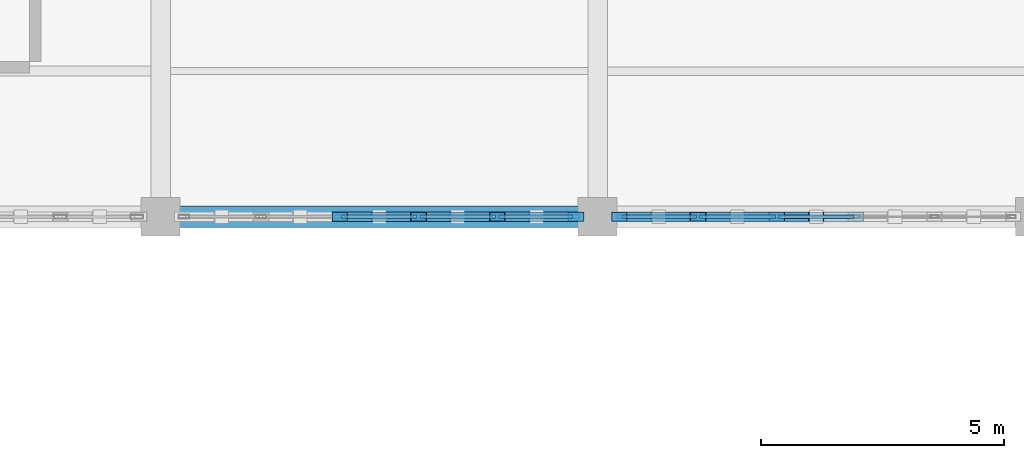
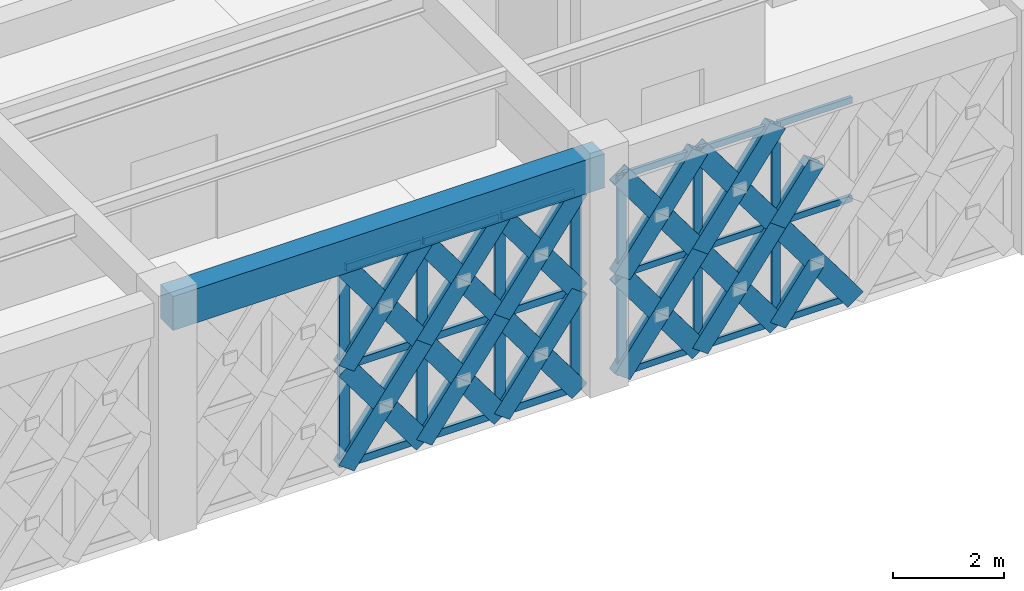
# One storey, part 37 of 86: 58 members, 1 beam, 2 elements without a shape of their own.
"""IFC4 building model written with IfcOpenShell, lengths in metres."""

from ifc_helpers import new_model, si_unit, direction, frame, origin, origin_2d, place, context, subcontext, project, spatial, rectangle, hollow_rectangle, extrude, material, material_profile, profile_set, type_object, element, aggregate, save


model = new_model("IFC4")

# Units and contexts
model_context = context("Model", 3, precision=1e-05, world=origin(), true_north=direction((0.0, 1.0)))
body_context = subcontext(model_context, "Body", "Model", "MODEL_VIEW")
ifc_project = project(units=[si_unit("LENGTHUNIT", "METRE"), si_unit("AREAUNIT", "SQUARE_METRE"), si_unit("VOLUMEUNIT", "CUBIC_METRE"), si_unit("PLANEANGLEUNIT", "RADIAN"), si_unit("MASSUNIT", "GRAM", prefix="KILO")], contexts=[model_context])

# Site, building, storey
site_placement = place(None, origin())
site = spatial("IfcSite", under=ifc_project, at=site_placement, CompositionType="ELEMENT")
building_placement = place(site_placement, origin())
building = spatial("IfcBuilding", under=site, at=building_placement, Name="Haizhuo Lancet Aquarium", CompositionType="ELEMENT")
storey_placement = place(building_placement, frame((0.0, 0.0, 16.199951171875)))
storey = spatial("IfcBuildingStorey", under=building, at=storey_placement, Name="L03", CompositionType="ELEMENT", Elevation=16.199951171875)

# Beam
ifc_material_1 = material(Name="Concrete C40/50", Category="concrete")
ifc_material_profile_1 = material_profile(ifc_material_1, rectangle(XDim=0.449951171875, YDim=0.75, at=origin_2d()), Name="RC-BM 450x750")
ifc_profile_set_1 = profile_set([ifc_material_profile_1], Name="Concrete C40/50")
beam_type = type_object("IfcBeamType", Name="BM-RC-450x750", PredefinedType="BEAM", material=ifc_profile_set_1)
beam_placement = place(storey_placement, frame((0.0, 36.0, 4.775146484375), z_axis=(1.0, 0.0, 0.0), x_axis=(0.0, 1.0, 0.0)))
element("IfcBeam", 1, at=beam_placement, inside=storey, type_object=beam_type, Name="L03 V5 primary girder BM-L03-V5-013", PredefinedType="BEAM", context=body_context, shape_type="SweptSolid", body=[
    extrude(rectangle(XDim=0.449951171875, YDim=0.75, at=origin_2d()), origin(), (0.0, 0.0, 1.0), 9.0),
])

# Curtain wall, members
ifc_material_2 = material(Name="Aluminium 6063-T6", Category="aluminium")
curtain_wall_type = type_object("IfcCurtainWallType", Name="CWD-8110x4400", PredefinedType="NOTDEFINED", material=ifc_material_2)
curtain_wall_1_placement = place(storey_placement, origin())
curtain_wall_1 = element("IfcCurtainWall", 2, at=curtain_wall_1_placement, inside=storey, type_object=curtain_wall_type, Name="L03 curtain wall CW-V5-L03-169", PredefinedType="NOTDEFINED")
ifc_material_profile_2 = material_profile(ifc_material_2, hollow_rectangle(XDim=0.06494140625, YDim=0.179931640625, WallThickness=0.00390625, at=origin_2d()), Name="ALU-M 65x180x4")
ifc_profile_set_2 = profile_set([ifc_material_profile_2], Name="Aluminium 6063-T6")
member_type_1 = type_object("IfcMemberType", Name="CW-MUL-1", PredefinedType="MULLION", material=ifc_profile_set_2)
member_1_placement = place(storey_placement, frame((12.68896484375, 36.0, 0.0), z_axis=(0.0, 0.0, 1.0), x_axis=(0.0, -1.0, 0.0)))
member_1 = element("IfcMember", 3, at=member_1_placement, type_object=member_type_1, Name="CWD-81x44 mullion 4", PredefinedType="MULLION", context=body_context, shape_type="SweptSolid", body=[
    extrude(hollow_rectangle(XDim=0.06494140625, YDim=0.179931640625, WallThickness=0.00390625, at=origin_2d()), origin(), (0.0, 0.0, 1.0), 4.400146484375),
])
member_2_placement = place(storey_placement, frame((11.06689453125, 36.0, 0.0), z_axis=(0.0, 0.0, 1.0), x_axis=(0.0, -1.0, 0.0)))
member_2 = element("IfcMember", 4, at=member_2_placement, type_object=member_type_1, Name="CWD-81x44 mullion 5", PredefinedType="MULLION", context=body_context, shape_type="SweptSolid", body=[
    extrude(hollow_rectangle(XDim=0.06494140625, YDim=0.179931640625, WallThickness=0.00390625, at=origin_2d()), origin(), (0.0, 0.0, 1.0), 4.400146484375),
])
member_3_placement = place(storey_placement, frame((9.47802734375, 36.0, 0.0), z_axis=(0.0, 0.0, 1.0), x_axis=(0.0, -1.0, 0.0)))
member_3 = element("IfcMember", 5, at=member_3_placement, type_object=member_type_1, Name="CWD-81x44 mullion 6", PredefinedType="MULLION", context=body_context, shape_type="SweptSolid", body=[
    extrude(hollow_rectangle(XDim=0.06494140625, YDim=0.179931640625, WallThickness=0.00390625, at=origin_2d()), origin(), (0.0, 0.0, 1.0), 4.400146484375),
])

curtain_wall_2_placement = place(storey_placement, origin())
curtain_wall_2 = element("IfcCurtainWall", 6, at=curtain_wall_2_placement, inside=storey, type_object=curtain_wall_type, Name="L03 curtain wall CW-V5-L03-170", PredefinedType="NOTDEFINED")
ifc_material_profile_3 = material_profile(ifc_material_2, hollow_rectangle(XDim=0.074951171875, YDim=0.219970703125, WallThickness=0.0048828125, at=origin_2d()), Name="ALU-M 75x220x5")
ifc_profile_set_3 = profile_set([ifc_material_profile_3], Name="Aluminium 6063-T6")
member_type_2 = type_object("IfcMemberType", Name="CW-MUL-2", PredefinedType="MULLION", material=ifc_profile_set_3)
member_4_placement = place(storey_placement, frame((8.51806640625, 36.0, 0.0), z_axis=(0.0, 0.0, 1.0), x_axis=(0.0, -1.0, 0.0)))
member_4 = element("IfcMember", 7, at=member_4_placement, type_object=member_type_2, Name="CWD-81x44 mullion 1", PredefinedType="MULLION", context=body_context, shape_type="SweptSolid", body=[
    extrude(hollow_rectangle(XDim=0.074951171875, YDim=0.219970703125, WallThickness=0.0048828125, at=origin_2d()), origin(), (0.0, 0.0, 1.0), 4.400146484375),
])
member_5_placement = place(storey_placement, frame((6.93310546875, 36.0, 0.0), z_axis=(0.0, 0.0, 1.0), x_axis=(0.0, -1.0, 0.0)))
member_5 = element("IfcMember", 8, at=member_5_placement, type_object=member_type_2, Name="CWD-81x44 mullion 2", PredefinedType="MULLION", context=body_context, shape_type="SweptSolid", body=[
    extrude(hollow_rectangle(XDim=0.074951171875, YDim=0.219970703125, WallThickness=0.0048828125, at=origin_2d()), origin(), (0.0, 0.0, 1.0), 4.400146484375),
])
member_6_placement = place(storey_placement, frame((5.31103515625, 36.0, 0.0), z_axis=(0.0, 0.0, 1.0), x_axis=(0.0, -1.0, 0.0)))
member_6 = element("IfcMember", 9, at=member_6_placement, type_object=member_type_2, Name="CWD-81x44 mullion 3", PredefinedType="MULLION", context=body_context, shape_type="SweptSolid", body=[
    extrude(hollow_rectangle(XDim=0.074951171875, YDim=0.219970703125, WallThickness=0.0048828125, at=origin_2d()), origin(), (0.0, 0.0, 1.0), 4.400146484375),
])
member_7_placement = place(storey_placement, frame((3.68896484375, 36.0, 0.0), z_axis=(0.0, 0.0, 1.0), x_axis=(0.0, -1.0, 0.0)))
member_7 = element("IfcMember", 10, at=member_7_placement, type_object=member_type_2, Name="CWD-81x44 mullion 4", PredefinedType="MULLION", context=body_context, shape_type="SweptSolid", body=[
    extrude(hollow_rectangle(XDim=0.074951171875, YDim=0.219970703125, WallThickness=0.0048828125, at=origin_2d()), origin(), (0.0, 0.0, 1.0), 4.400146484375),
])

# Member
ifc_material_profile_4 = material_profile(ifc_material_2, hollow_rectangle(XDim=0.06494140625, YDim=0.139892578125, WallThickness=0.00390625, at=origin_2d()), Name="ALU-T 65x140x4")
ifc_profile_set_4 = profile_set([ifc_material_profile_4], Name="Aluminium 6063-T6")
member_type_3 = type_object("IfcMemberType", Name="CW-TRN-1", PredefinedType="NOTDEFINED", material=ifc_profile_set_4)
member_8_placement = place(storey_placement, frame((14.278076171875, 36.0, 0.031982421875), z_axis=(-1.0, 0.0, 0.0), x_axis=(0.0, -1.0, 0.0)))
member_8 = element("IfcMember", 11, at=member_8_placement, type_object=member_type_3, Name="CWD-81x44 transom 3.1", ObjectType="TRANSOM", PredefinedType="USERDEFINED", context=body_context, shape_type="SweptSolid", body=[
    extrude(hollow_rectangle(XDim=0.06494140625, YDim=0.139892578125, WallThickness=0.00390625, at=origin_2d()), origin(), (0.0, 0.0, 1.0), 1.55712890625),
])

member_9_placement = place(storey_placement, frame((14.278076171875, 36.0, 2.199951171875), z_axis=(-1.0, 0.0, 0.0), x_axis=(0.0, -1.0, 0.0)))
member_9 = element("IfcMember", 12, at=member_9_placement, type_object=member_type_3, Name="CWD-81x44 transom 3.2", ObjectType="TRANSOM", PredefinedType="USERDEFINED", context=body_context, shape_type="SweptSolid", body=[
    extrude(hollow_rectangle(XDim=0.06494140625, YDim=0.139892578125, WallThickness=0.00390625, at=origin_2d()), origin(), (0.0, 0.0, 1.0), 1.55712890625),
])

member_10_placement = place(storey_placement, frame((14.278076171875, 36.0, 4.3681640625), z_axis=(-1.0, 0.0, 0.0), x_axis=(0.0, -1.0, 0.0)))
member_10 = element("IfcMember", 13, at=member_10_placement, type_object=member_type_3, Name="CWD-81x44 transom 3.3", ObjectType="TRANSOM", PredefinedType="USERDEFINED", context=body_context, shape_type="SweptSolid", body=[
    extrude(hollow_rectangle(XDim=0.06494140625, YDim=0.139892578125, WallThickness=0.00390625, at=origin_2d()), origin(), (0.0, 0.0, 1.0), 1.55712890625),
])

member_11_placement = place(storey_placement, frame((12.656982421875, 36.0, 0.031982421875), z_axis=(-1.0, 0.0, 0.0), x_axis=(0.0, -1.0, 0.0)))
member_11 = element("IfcMember", 14, at=member_11_placement, type_object=member_type_3, Name="CWD-81x44 transom 4.1", ObjectType="TRANSOM", PredefinedType="USERDEFINED", context=body_context, shape_type="SweptSolid", body=[
    extrude(hollow_rectangle(XDim=0.06494140625, YDim=0.139892578125, WallThickness=0.00390625, at=origin_2d()), origin(), (0.0, 0.0, 1.0), 1.557861328125),
])

member_12_placement = place(storey_placement, frame((12.656982421875, 36.0, 2.199951171875), z_axis=(-1.0, 0.0, 0.0), x_axis=(0.0, -1.0, 0.0)))
member_12 = element("IfcMember", 15, at=member_12_placement, type_object=member_type_3, Name="CWD-81x44 transom 4.2", ObjectType="TRANSOM", PredefinedType="USERDEFINED", context=body_context, shape_type="SweptSolid", body=[
    extrude(hollow_rectangle(XDim=0.06494140625, YDim=0.139892578125, WallThickness=0.00390625, at=origin_2d()), origin(), (0.0, 0.0, 1.0), 1.557861328125),
])

member_13_placement = place(storey_placement, frame((12.656982421875, 36.0, 4.3681640625), z_axis=(-1.0, 0.0, 0.0), x_axis=(0.0, -1.0, 0.0)))
member_13 = element("IfcMember", 16, at=member_13_placement, type_object=member_type_3, Name="CWD-81x44 transom 4.3", ObjectType="TRANSOM", PredefinedType="USERDEFINED", context=body_context, shape_type="SweptSolid", body=[
    extrude(hollow_rectangle(XDim=0.06494140625, YDim=0.139892578125, WallThickness=0.00390625, at=origin_2d()), origin(), (0.0, 0.0, 1.0), 1.557861328125),
])

member_14_placement = place(storey_placement, frame((11.034912109375, 36.0, 0.031982421875), z_axis=(-1.0, 0.0, 0.0), x_axis=(0.0, -1.0, 0.0)))
member_14 = element("IfcMember", 17, at=member_14_placement, type_object=member_type_3, Name="CWD-81x44 transom 5.1", ObjectType="TRANSOM", PredefinedType="USERDEFINED", context=body_context, shape_type="SweptSolid", body=[
    extrude(hollow_rectangle(XDim=0.06494140625, YDim=0.139892578125, WallThickness=0.00390625, at=origin_2d()), origin(), (0.0, 0.0, 1.0), 1.52490234375),
])

member_15_placement = place(storey_placement, frame((11.034912109375, 36.0, 2.199951171875), z_axis=(-1.0, 0.0, 0.0), x_axis=(0.0, -1.0, 0.0)))
member_15 = element("IfcMember", 18, at=member_15_placement, type_object=member_type_3, Name="CWD-81x44 transom 5.2", ObjectType="TRANSOM", PredefinedType="USERDEFINED", context=body_context, shape_type="SweptSolid", body=[
    extrude(hollow_rectangle(XDim=0.06494140625, YDim=0.139892578125, WallThickness=0.00390625, at=origin_2d()), origin(), (0.0, 0.0, 1.0), 1.52490234375),
])

member_16_placement = place(storey_placement, frame((11.034912109375, 36.0, 4.3681640625), z_axis=(-1.0, 0.0, 0.0), x_axis=(0.0, -1.0, 0.0)))
member_16 = element("IfcMember", 19, at=member_16_placement, type_object=member_type_3, Name="CWD-81x44 transom 5.3", ObjectType="TRANSOM", PredefinedType="USERDEFINED", context=body_context, shape_type="SweptSolid", body=[
    extrude(hollow_rectangle(XDim=0.06494140625, YDim=0.139892578125, WallThickness=0.00390625, at=origin_2d()), origin(), (0.0, 0.0, 1.0), 1.52490234375),
])

aggregate(curtain_wall_1, [member_1, member_2, member_3, member_8, member_9, member_10, member_11, member_12, member_13, member_14, member_15, member_16])

ifc_material_profile_5 = material_profile(ifc_material_2, hollow_rectangle(XDim=0.074951171875, YDim=0.159912109375, WallThickness=0.00390625, at=origin_2d()), Name="ALU-T 75x160x4")
ifc_profile_set_5 = profile_set([ifc_material_profile_5], Name="Aluminium 6063-T6")
member_type_4 = type_object("IfcMemberType", Name="CW-TRN-2", PredefinedType="NOTDEFINED", material=ifc_profile_set_5)
member_17_placement = place(storey_placement, frame((8.47998046875, 36.0, 0.0380859375), z_axis=(-1.0, 0.0, 0.0), x_axis=(0.0, -1.0, 0.0)))
member_17 = element("IfcMember", 20, at=member_17_placement, type_object=member_type_4, Name="CWD-81x44 transom 1.1", ObjectType="TRANSOM", PredefinedType="USERDEFINED", context=body_context, shape_type="SweptSolid", body=[
    extrude(hollow_rectangle(XDim=0.074951171875, YDim=0.159912109375, WallThickness=0.00390625, at=origin_2d()), origin(), (0.0, 0.0, 1.0), 1.510009765625),
])

member_18_placement = place(storey_placement, frame((8.47998046875, 36.0, 2.199951171875), z_axis=(-1.0, 0.0, 0.0), x_axis=(0.0, -1.0, 0.0)))
member_18 = element("IfcMember", 21, at=member_18_placement, type_object=member_type_4, Name="CWD-81x44 transom 1.2", ObjectType="TRANSOM", PredefinedType="USERDEFINED", context=body_context, shape_type="SweptSolid", body=[
    extrude(hollow_rectangle(XDim=0.074951171875, YDim=0.159912109375, WallThickness=0.00390625, at=origin_2d()), origin(), (0.0, 0.0, 1.0), 1.510009765625),
])

member_19_placement = place(storey_placement, frame((8.47998046875, 36.0, 4.362060546875), z_axis=(-1.0, 0.0, 0.0), x_axis=(0.0, -1.0, 0.0)))
member_19 = element("IfcMember", 22, at=member_19_placement, type_object=member_type_4, Name="CWD-81x44 transom 1.3", ObjectType="TRANSOM", PredefinedType="USERDEFINED", context=body_context, shape_type="SweptSolid", body=[
    extrude(hollow_rectangle(XDim=0.074951171875, YDim=0.159912109375, WallThickness=0.00390625, at=origin_2d()), origin(), (0.0, 0.0, 1.0), 1.510009765625),
])

member_20_placement = place(storey_placement, frame((6.89599609375, 36.0, 0.0380859375), z_axis=(-1.0, 0.0, 0.0), x_axis=(0.0, -1.0, 0.0)))
member_20 = element("IfcMember", 23, at=member_20_placement, type_object=member_type_4, Name="CWD-81x44 transom 2.1", ObjectType="TRANSOM", PredefinedType="USERDEFINED", context=body_context, shape_type="SweptSolid", body=[
    extrude(hollow_rectangle(XDim=0.074951171875, YDim=0.159912109375, WallThickness=0.00390625, at=origin_2d()), origin(), (0.0, 0.0, 1.0), 1.548095703125),
])

member_21_placement = place(storey_placement, frame((6.89599609375, 36.0, 2.199951171875), z_axis=(-1.0, 0.0, 0.0), x_axis=(0.0, -1.0, 0.0)))
member_21 = element("IfcMember", 24, at=member_21_placement, type_object=member_type_4, Name="CWD-81x44 transom 2.2", ObjectType="TRANSOM", PredefinedType="USERDEFINED", context=body_context, shape_type="SweptSolid", body=[
    extrude(hollow_rectangle(XDim=0.074951171875, YDim=0.159912109375, WallThickness=0.00390625, at=origin_2d()), origin(), (0.0, 0.0, 1.0), 1.548095703125),
])

member_22_placement = place(storey_placement, frame((6.89599609375, 36.0, 4.362060546875), z_axis=(-1.0, 0.0, 0.0), x_axis=(0.0, -1.0, 0.0)))
member_22 = element("IfcMember", 25, at=member_22_placement, type_object=member_type_4, Name="CWD-81x44 transom 2.3", ObjectType="TRANSOM", PredefinedType="USERDEFINED", context=body_context, shape_type="SweptSolid", body=[
    extrude(hollow_rectangle(XDim=0.074951171875, YDim=0.159912109375, WallThickness=0.00390625, at=origin_2d()), origin(), (0.0, 0.0, 1.0), 1.548095703125),
])

member_23_placement = place(storey_placement, frame((5.27392578125, 36.0, 0.0380859375), z_axis=(-1.0, 0.0, 0.0), x_axis=(0.0, -1.0, 0.0)))
member_23 = element("IfcMember", 26, at=member_23_placement, type_object=member_type_4, Name="CWD-81x44 transom 3.1", ObjectType="TRANSOM", PredefinedType="USERDEFINED", context=body_context, shape_type="SweptSolid", body=[
    extrude(hollow_rectangle(XDim=0.074951171875, YDim=0.159912109375, WallThickness=0.00390625, at=origin_2d()), origin(), (0.0, 0.0, 1.0), 1.5478515625),
])

member_24_placement = place(storey_placement, frame((5.27392578125, 36.0, 2.199951171875), z_axis=(-1.0, 0.0, 0.0), x_axis=(0.0, -1.0, 0.0)))
member_24 = element("IfcMember", 27, at=member_24_placement, type_object=member_type_4, Name="CWD-81x44 transom 3.2", ObjectType="TRANSOM", PredefinedType="USERDEFINED", context=body_context, shape_type="SweptSolid", body=[
    extrude(hollow_rectangle(XDim=0.074951171875, YDim=0.159912109375, WallThickness=0.00390625, at=origin_2d()), origin(), (0.0, 0.0, 1.0), 1.5478515625),
])

member_25_placement = place(storey_placement, frame((5.27392578125, 36.0, 4.362060546875), z_axis=(-1.0, 0.0, 0.0), x_axis=(0.0, -1.0, 0.0)))
member_25 = element("IfcMember", 28, at=member_25_placement, type_object=member_type_4, Name="CWD-81x44 transom 3.3", ObjectType="TRANSOM", PredefinedType="USERDEFINED", context=body_context, shape_type="SweptSolid", body=[
    extrude(hollow_rectangle(XDim=0.074951171875, YDim=0.159912109375, WallThickness=0.00390625, at=origin_2d()), origin(), (0.0, 0.0, 1.0), 1.5478515625),
])

aggregate(curtain_wall_2, [member_4, member_5, member_6, member_7, member_17, member_18, member_19, member_20, member_21, member_22, member_23, member_24, member_25])

# Members
ifc_material_3 = material(Name="Steel S355", Category="steel")
ifc_material_profile_6 = material_profile(ifc_material_3, hollow_rectangle(XDim=0.199951171875, YDim=0.39990234375, WallThickness=0.011962890625, at=origin_2d()), Name="RHS 200x400x12")
ifc_profile_set_6 = profile_set([ifc_material_profile_6], Name="Steel S355")
member_type_5 = type_object("IfcMemberType", Name="MEM-LB-RHS200x400", PredefinedType="BRACE", material=ifc_profile_set_6)
member_26_placement = place(storey_placement, frame((14.31103515625, 36.0, 0.0), z_axis=(-0.59344885176, 0.0, 0.804871704276), x_axis=(0.0, -1.0, 0.0)))
element("IfcMember", 29, at=member_26_placement, inside=storey, type_object=member_type_5, Name="Gothic lancet continuous diagonal brace CW-V5-L03-169 5A", PredefinedType="BRACE", context=body_context, shape_type="SweptSolid", body=[
    extrude(hollow_rectangle(XDim=0.199951171875, YDim=0.39990234375, WallThickness=0.011962890625, at=origin_2d()), origin(), (0.0, 0.0, 1.0), 2.7333984375),
])
for number, where, z_axis, x_axis, name in (
    (30, (12.68896484375, 36.0, 0.0), (0.593406189792, 0.0, 0.804903158098), (0.0, 1.0, 0.0), "Gothic lancet split diagonal brace CW-V5-L03-169 5B1"),
    (31, (12.68896484375, 36.0, 2.199951171875), (0.593406189792, 0.0, 0.804903158098), (0.0, 1.0, 0.0), "Gothic lancet split diagonal brace CW-V5-L03-169 6B1"),
):
    element("IfcMember", number, at=place(storey_placement, frame(where, z_axis=z_axis, x_axis=x_axis)), inside=storey, type_object=member_type_5, Name=name, PredefinedType="BRACE", context=body_context, shape_type="SweptSolid", body=[
        extrude(hollow_rectangle(XDim=0.199951171875, YDim=0.39990234375, WallThickness=0.011962890625, at=origin_2d()), origin(), (0.0, 0.0, 1.0), 1.36669921875),
    ])
member_27_placement = place(storey_placement, frame((12.68896484375, 36.0, 0.0), z_axis=(-0.59344885176, 0.0, 0.804871704276), x_axis=(0.0, -1.0, 0.0)))
element("IfcMember", 32, at=member_27_placement, inside=storey, type_object=member_type_5, Name="Gothic lancet continuous diagonal brace CW-V5-L03-169 7A", PredefinedType="BRACE", context=body_context, shape_type="SweptSolid", body=[
    extrude(hollow_rectangle(XDim=0.199951171875, YDim=0.39990234375, WallThickness=0.011962890625, at=origin_2d()), origin(), (0.0, 0.0, 1.0), 2.7333984375),
])
member_28_placement = place(storey_placement, frame((11.06689453125, 36.0, 0.0), z_axis=(0.593406189792, 0.0, 0.804903158098), x_axis=(0.0, 1.0, 0.0)))
element("IfcMember", 33, at=member_28_placement, inside=storey, type_object=member_type_5, Name="Gothic lancet split diagonal brace CW-V5-L03-169 7B1", PredefinedType="BRACE", context=body_context, shape_type="SweptSolid", body=[
    extrude(hollow_rectangle(XDim=0.199951171875, YDim=0.39990234375, WallThickness=0.011962890625, at=origin_2d()), origin(), (0.0, 0.0, 1.0), 1.36669921875),
])
member_29_placement = place(storey_placement, frame((11.8779296875, 36.0, 1.10009765625), z_axis=(0.593491518195, 0.0, 0.80484024367), x_axis=(0.0, 1.0, 0.0)))
element("IfcMember", 34, at=member_29_placement, inside=storey, type_object=member_type_5, Name="Gothic lancet split diagonal brace CW-V5-L03-169 7B2", PredefinedType="BRACE", context=body_context, shape_type="SweptSolid", body=[
    extrude(hollow_rectangle(XDim=0.199951171875, YDim=0.39990234375, WallThickness=0.011962890625, at=origin_2d()), origin(), (0.0, 0.0, 1.0), 1.366455078125),
])
member_30_placement = place(storey_placement, frame((12.68896484375, 36.0, 2.199951171875), z_axis=(-0.593406189792, 0.0, 0.804903158098), x_axis=(0.0, -1.0, 0.0)))
element("IfcMember", 35, at=member_30_placement, inside=storey, type_object=member_type_5, Name="Gothic lancet continuous diagonal brace CW-V5-L03-169 8A", PredefinedType="BRACE", context=body_context, shape_type="SweptSolid", body=[
    extrude(hollow_rectangle(XDim=0.199951171875, YDim=0.39990234375, WallThickness=0.011962890625, at=origin_2d()), origin(), (0.0, 0.0, 1.0), 2.7333984375),
])
for number, where, z_axis, x_axis, name in (
    (36, (11.06689453125, 36.0, 2.199951171875), (0.593406189792, 0.0, 0.804903158098), (0.0, 1.0, 0.0), "Gothic lancet split diagonal brace CW-V5-L03-169 8B1"),
    (37, (11.8779296875, 36.0, 3.300048828125), (0.593406189792, 0.0, 0.804903158098), (0.0, 1.0, 0.0), "Gothic lancet split diagonal brace CW-V5-L03-169 8B2"),
):
    element("IfcMember", number, at=place(storey_placement, frame(where, z_axis=z_axis, x_axis=x_axis)), inside=storey, type_object=member_type_5, Name=name, PredefinedType="BRACE", context=body_context, shape_type="SweptSolid", body=[
        extrude(hollow_rectangle(XDim=0.199951171875, YDim=0.39990234375, WallThickness=0.011962890625, at=origin_2d()), origin(), (0.0, 0.0, 1.0), 1.36669921875),
    ])
member_31_placement = place(storey_placement, frame((11.06689453125, 36.0, 0.0), z_axis=(-0.593390983354, 0.0, 0.804914368659), x_axis=(0.0, -1.0, 0.0)))
element("IfcMember", 38, at=member_31_placement, inside=storey, type_object=member_type_5, Name="Gothic lancet continuous diagonal brace CW-V5-L03-169 9A", PredefinedType="BRACE", context=body_context, shape_type="SweptSolid", body=[
    extrude(hollow_rectangle(XDim=0.199951171875, YDim=0.39990234375, WallThickness=0.011962890625, at=origin_2d()), origin(), (0.0, 0.0, 1.0), 2.733154296875),
])
member_32_placement = place(storey_placement, frame((9.445068359375, 36.0, 0.0), z_axis=(0.593406189792, 0.0, 0.804903158098), x_axis=(0.0, 1.0, 0.0)))
element("IfcMember", 39, at=member_32_placement, inside=storey, type_object=member_type_5, Name="Gothic lancet split diagonal brace CW-V5-L03-169 9B1", PredefinedType="BRACE", context=body_context, shape_type="SweptSolid", body=[
    extrude(hollow_rectangle(XDim=0.199951171875, YDim=0.39990234375, WallThickness=0.011962890625, at=origin_2d()), origin(), (0.0, 0.0, 1.0), 1.36669921875),
])
member_33_placement = place(storey_placement, frame((10.256103515625, 36.0, 1.10009765625), z_axis=(0.593375772905, 0.0, 0.804925581734), x_axis=(0.0, 1.0, 0.0)))
element("IfcMember", 40, at=member_33_placement, inside=storey, type_object=member_type_5, Name="Gothic lancet split diagonal brace CW-V5-L03-169 9B2", PredefinedType="BRACE", context=body_context, shape_type="SweptSolid", body=[
    extrude(hollow_rectangle(XDim=0.199951171875, YDim=0.39990234375, WallThickness=0.011962890625, at=origin_2d()), origin(), (0.0, 0.0, 1.0), 1.366455078125),
])
member_34_placement = place(storey_placement, frame((11.06689453125, 36.0, 2.199951171875), z_axis=(-0.593348321024, 0.0, 0.804945818014), x_axis=(0.0, -1.0, 0.0)))
element("IfcMember", 41, at=member_34_placement, inside=storey, type_object=member_type_5, Name="Gothic lancet continuous diagonal brace CW-V5-L03-169 10A", PredefinedType="BRACE", context=body_context, shape_type="SweptSolid", body=[
    extrude(hollow_rectangle(XDim=0.199951171875, YDim=0.39990234375, WallThickness=0.011962890625, at=origin_2d()), origin(), (0.0, 0.0, 1.0), 2.7333984375),
])
for number, where, z_axis, x_axis, name in (
    (42, (9.445068359375, 36.0, 2.199951171875), (0.593406189792, 0.0, 0.804903158098), (0.0, 1.0, 0.0), "Gothic lancet split diagonal brace CW-V5-L03-169 10B1"),
    (43, (10.256103515625, 36.0, 3.300048828125), (0.593290443054, 0.0, 0.80498847829), (0.0, 1.0, 0.0), "Gothic lancet split diagonal brace CW-V5-L03-169 10B2"),
):
    element("IfcMember", number, at=place(storey_placement, frame(where, z_axis=z_axis, x_axis=x_axis)), inside=storey, type_object=member_type_5, Name=name, PredefinedType="BRACE", context=body_context, shape_type="SweptSolid", body=[
        extrude(hollow_rectangle(XDim=0.199951171875, YDim=0.39990234375, WallThickness=0.011962890625, at=origin_2d()), origin(), (0.0, 0.0, 1.0), 1.36669921875),
    ])
member_35_placement = place(storey_placement, frame((8.554931640625, 36.0, 0.0), z_axis=(-0.593390983354, 0.0, 0.804914368659), x_axis=(0.0, -1.0, 0.0)))
element("IfcMember", 44, at=member_35_placement, inside=storey, type_object=member_type_5, Name="Gothic lancet continuous diagonal brace CW-V5-L03-170 1A", PredefinedType="BRACE", context=body_context, shape_type="SweptSolid", body=[
    extrude(hollow_rectangle(XDim=0.199951171875, YDim=0.39990234375, WallThickness=0.011962890625, at=origin_2d()), origin(), (0.0, 0.0, 1.0), 2.733154296875),
])
member_36_placement = place(storey_placement, frame((6.93310546875, 36.0, 0.0), z_axis=(0.593290443054, 0.0, 0.80498847829), x_axis=(0.0, 1.0, 0.0)))
element("IfcMember", 45, at=member_36_placement, inside=storey, type_object=member_type_5, Name="Gothic lancet split diagonal brace CW-V5-L03-170 1B1", PredefinedType="BRACE", context=body_context, shape_type="SweptSolid", body=[
    extrude(hollow_rectangle(XDim=0.199951171875, YDim=0.39990234375, WallThickness=0.011962890625, at=origin_2d()), origin(), (0.0, 0.0, 1.0), 1.36669921875),
])
member_37_placement = place(storey_placement, frame((7.743896484375, 36.0, 1.10009765625), z_axis=(0.593491518195, 0.0, 0.80484024367), x_axis=(0.0, 1.0, 0.0)))
element("IfcMember", 46, at=member_37_placement, inside=storey, type_object=member_type_5, Name="Gothic lancet split diagonal brace CW-V5-L03-170 1B2", PredefinedType="BRACE", context=body_context, shape_type="SweptSolid", body=[
    extrude(hollow_rectangle(XDim=0.199951171875, YDim=0.39990234375, WallThickness=0.011962890625, at=origin_2d()), origin(), (0.0, 0.0, 1.0), 1.366455078125),
])
member_38_placement = place(storey_placement, frame((8.554931640625, 36.0, 2.199951171875), z_axis=(-0.593348321024, 0.0, 0.804945818014), x_axis=(0.0, -1.0, 0.0)))
element("IfcMember", 47, at=member_38_placement, inside=storey, type_object=member_type_5, Name="Gothic lancet continuous diagonal brace CW-V5-L03-170 2A", PredefinedType="BRACE", context=body_context, shape_type="SweptSolid", body=[
    extrude(hollow_rectangle(XDim=0.199951171875, YDim=0.39990234375, WallThickness=0.011962890625, at=origin_2d()), origin(), (0.0, 0.0, 1.0), 2.7333984375),
])
for number, where, z_axis, x_axis, name in (
    (48, (6.93310546875, 36.0, 2.199951171875), (0.593290443054, 0.0, 0.80498847829), (0.0, 1.0, 0.0), "Gothic lancet split diagonal brace CW-V5-L03-170 2B1"),
    (49, (7.743896484375, 36.0, 3.300048828125), (0.593406189792, 0.0, 0.804903158098), (0.0, 1.0, 0.0), "Gothic lancet split diagonal brace CW-V5-L03-170 2B2"),
):
    element("IfcMember", number, at=place(storey_placement, frame(where, z_axis=z_axis, x_axis=x_axis)), inside=storey, type_object=member_type_5, Name=name, PredefinedType="BRACE", context=body_context, shape_type="SweptSolid", body=[
        extrude(hollow_rectangle(XDim=0.199951171875, YDim=0.39990234375, WallThickness=0.011962890625, at=origin_2d()), origin(), (0.0, 0.0, 1.0), 1.36669921875),
    ])
member_39_placement = place(storey_placement, frame((6.93310546875, 36.0, 0.0), z_axis=(-0.59344885176, 0.0, 0.804871704276), x_axis=(0.0, -1.0, 0.0)))
element("IfcMember", 50, at=member_39_placement, inside=storey, type_object=member_type_5, Name="Gothic lancet continuous diagonal brace CW-V5-L03-170 3A", PredefinedType="BRACE", context=body_context, shape_type="SweptSolid", body=[
    extrude(hollow_rectangle(XDim=0.199951171875, YDim=0.39990234375, WallThickness=0.011962890625, at=origin_2d()), origin(), (0.0, 0.0, 1.0), 2.7333984375),
])
member_40_placement = place(storey_placement, frame((5.31103515625, 36.0, 0.0), z_axis=(0.593406189792, 0.0, 0.804903158098), x_axis=(0.0, 1.0, 0.0)))
element("IfcMember", 51, at=member_40_placement, inside=storey, type_object=member_type_5, Name="Gothic lancet split diagonal brace CW-V5-L03-170 3B1", PredefinedType="BRACE", context=body_context, shape_type="SweptSolid", body=[
    extrude(hollow_rectangle(XDim=0.199951171875, YDim=0.39990234375, WallThickness=0.011962890625, at=origin_2d()), origin(), (0.0, 0.0, 1.0), 1.36669921875),
])
member_41_placement = place(storey_placement, frame((6.1220703125, 36.0, 1.10009765625), z_axis=(0.593491518195, 0.0, 0.80484024367), x_axis=(0.0, 1.0, 0.0)))
element("IfcMember", 52, at=member_41_placement, inside=storey, type_object=member_type_5, Name="Gothic lancet split diagonal brace CW-V5-L03-170 3B2", PredefinedType="BRACE", context=body_context, shape_type="SweptSolid", body=[
    extrude(hollow_rectangle(XDim=0.199951171875, YDim=0.39990234375, WallThickness=0.011962890625, at=origin_2d()), origin(), (0.0, 0.0, 1.0), 1.366455078125),
])
member_42_placement = place(storey_placement, frame((6.93310546875, 36.0, 2.199951171875), z_axis=(-0.593406189792, 0.0, 0.804903158098), x_axis=(0.0, -1.0, 0.0)))
element("IfcMember", 53, at=member_42_placement, inside=storey, type_object=member_type_5, Name="Gothic lancet continuous diagonal brace CW-V5-L03-170 4A", PredefinedType="BRACE", context=body_context, shape_type="SweptSolid", body=[
    extrude(hollow_rectangle(XDim=0.199951171875, YDim=0.39990234375, WallThickness=0.011962890625, at=origin_2d()), origin(), (0.0, 0.0, 1.0), 2.7333984375),
])
for number, where, z_axis, x_axis, name in (
    (54, (5.31103515625, 36.0, 2.199951171875), (0.593406189792, 0.0, 0.804903158098), (0.0, 1.0, 0.0), "Gothic lancet split diagonal brace CW-V5-L03-170 4B1"),
    (55, (6.1220703125, 36.0, 3.300048828125), (0.593406189792, 0.0, 0.804903158098), (0.0, 1.0, 0.0), "Gothic lancet split diagonal brace CW-V5-L03-170 4B2"),
):
    element("IfcMember", number, at=place(storey_placement, frame(where, z_axis=z_axis, x_axis=x_axis)), inside=storey, type_object=member_type_5, Name=name, PredefinedType="BRACE", context=body_context, shape_type="SweptSolid", body=[
        extrude(hollow_rectangle(XDim=0.199951171875, YDim=0.39990234375, WallThickness=0.011962890625, at=origin_2d()), origin(), (0.0, 0.0, 1.0), 1.36669921875),
    ])
member_43_placement = place(storey_placement, frame((5.31103515625, 36.0, 0.0), z_axis=(-0.59344885176, 0.0, 0.804871704276), x_axis=(0.0, -1.0, 0.0)))
element("IfcMember", 56, at=member_43_placement, inside=storey, type_object=member_type_5, Name="Gothic lancet continuous diagonal brace CW-V5-L03-170 5A", PredefinedType="BRACE", context=body_context, shape_type="SweptSolid", body=[
    extrude(hollow_rectangle(XDim=0.199951171875, YDim=0.39990234375, WallThickness=0.011962890625, at=origin_2d()), origin(), (0.0, 0.0, 1.0), 2.7333984375),
])
member_44_placement = place(storey_placement, frame((3.68896484375, 36.0, 0.0), z_axis=(0.593406189792, 0.0, 0.804903158098), x_axis=(0.0, 1.0, 0.0)))
element("IfcMember", 57, at=member_44_placement, inside=storey, type_object=member_type_5, Name="Gothic lancet split diagonal brace CW-V5-L03-170 5B1", PredefinedType="BRACE", context=body_context, shape_type="SweptSolid", body=[
    extrude(hollow_rectangle(XDim=0.199951171875, YDim=0.39990234375, WallThickness=0.011962890625, at=origin_2d()), origin(), (0.0, 0.0, 1.0), 1.36669921875),
])
member_45_placement = place(storey_placement, frame((4.5, 36.0, 1.10009765625), z_axis=(0.593491518195, 0.0, 0.80484024367), x_axis=(0.0, 1.0, 0.0)))
element("IfcMember", 58, at=member_45_placement, inside=storey, type_object=member_type_5, Name="Gothic lancet split diagonal brace CW-V5-L03-170 5B2", PredefinedType="BRACE", context=body_context, shape_type="SweptSolid", body=[
    extrude(hollow_rectangle(XDim=0.199951171875, YDim=0.39990234375, WallThickness=0.011962890625, at=origin_2d()), origin(), (0.0, 0.0, 1.0), 1.366455078125),
])
member_46_placement = place(storey_placement, frame((5.31103515625, 36.0, 2.199951171875), z_axis=(-0.593406189792, 0.0, 0.804903158098), x_axis=(0.0, -1.0, 0.0)))
element("IfcMember", 59, at=member_46_placement, inside=storey, type_object=member_type_5, Name="Gothic lancet continuous diagonal brace CW-V5-L03-170 6A", PredefinedType="BRACE", context=body_context, shape_type="SweptSolid", body=[
    extrude(hollow_rectangle(XDim=0.199951171875, YDim=0.39990234375, WallThickness=0.011962890625, at=origin_2d()), origin(), (0.0, 0.0, 1.0), 2.7333984375),
])
for number, where, z_axis, x_axis, name in (
    (60, (3.68896484375, 36.0, 2.199951171875), (0.593406189792, 0.0, 0.804903158098), (0.0, 1.0, 0.0), "Gothic lancet split diagonal brace CW-V5-L03-170 6B1"),
    (61, (4.5, 36.0, 3.300048828125), (0.593406189792, 0.0, 0.804903158098), (0.0, 1.0, 0.0), "Gothic lancet split diagonal brace CW-V5-L03-170 6B2"),
):
    element("IfcMember", number, at=place(storey_placement, frame(where, z_axis=z_axis, x_axis=x_axis)), inside=storey, type_object=member_type_5, Name=name, PredefinedType="BRACE", context=body_context, shape_type="SweptSolid", body=[
        extrude(hollow_rectangle(XDim=0.199951171875, YDim=0.39990234375, WallThickness=0.011962890625, at=origin_2d()), origin(), (0.0, 0.0, 1.0), 1.36669921875),
    ])

save(model, "model.ifc")
